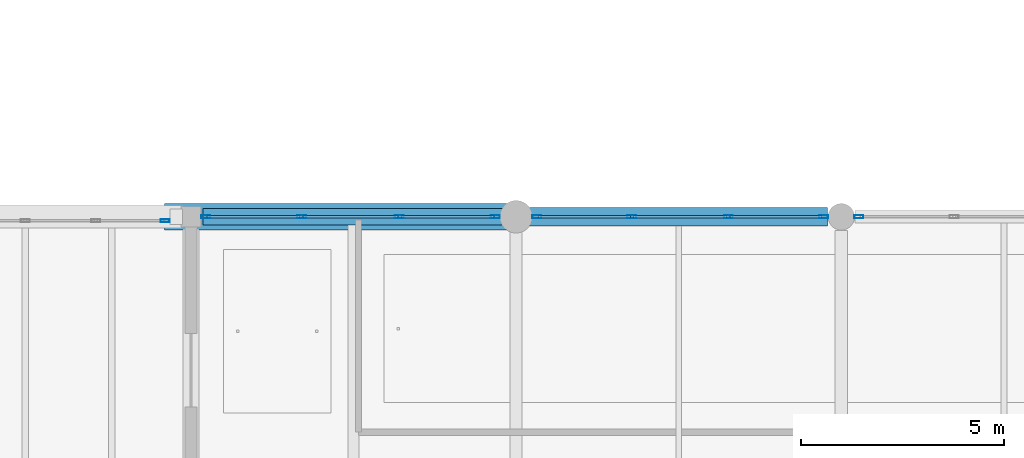
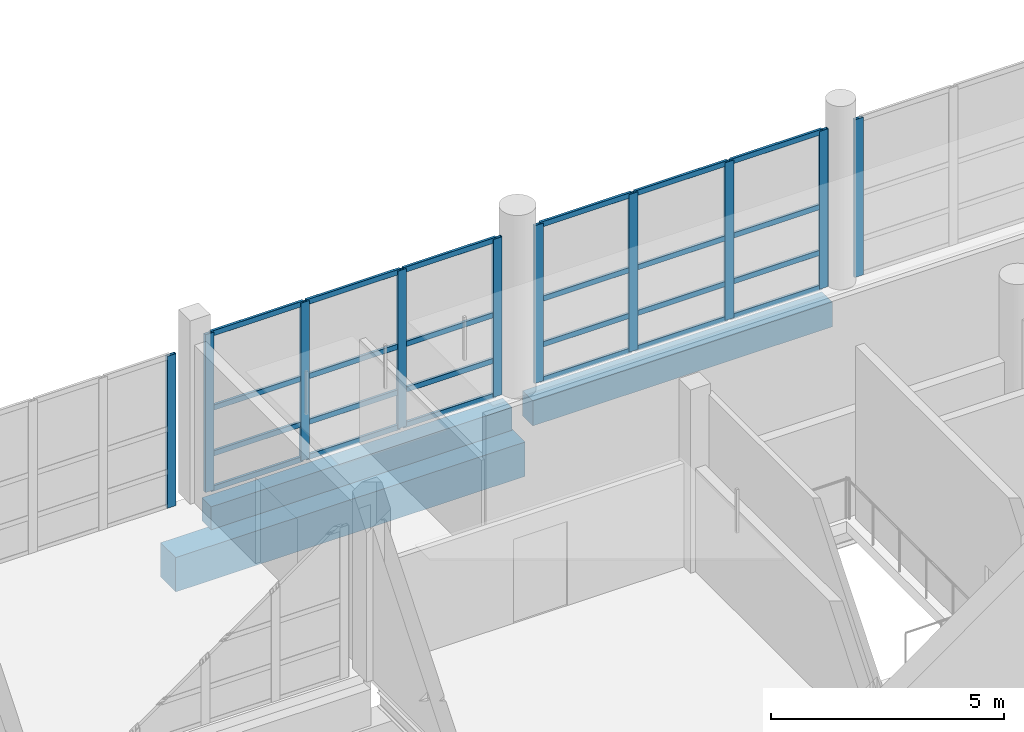
# One storey, part 29 of 141: 34 members, 3 beams, 4 elements without a shape of their own.
"""IFC4 building model written with IfcOpenShell, lengths in metres."""

from ifc_helpers import new_model, si_unit, direction, frame, origin, origin_2d, place, context, subcontext, project, spatial, rectangle, hollow_rectangle, extrude, material, material_profile, profile_set, type_object, element, aggregate, save


model = new_model("IFC4")

# Units and contexts
model_context = context("Model", 3, precision=1e-05, world=origin(), true_north=direction((0.0, 1.0)))
body_context = subcontext(model_context, "Body", "Model", "MODEL_VIEW")
ifc_project = project(units=[si_unit("LENGTHUNIT", "METRE"), si_unit("AREAUNIT", "SQUARE_METRE"), si_unit("VOLUMEUNIT", "CUBIC_METRE"), si_unit("PLANEANGLEUNIT", "RADIAN"), si_unit("MASSUNIT", "GRAM", prefix="KILO")], contexts=[model_context])

# Site, building, storey
site_placement = place(None, origin())
site = spatial("IfcSite", under=ifc_project, at=site_placement, CompositionType="ELEMENT")
building_placement = place(site_placement, origin())
building = spatial("IfcBuilding", under=site, at=building_placement, Name="Khelvaren Railside Concert Hall", CompositionType="ELEMENT")
storey_placement = place(building_placement, frame((0.0, 0.0, 10.199951171875)))
storey = spatial("IfcBuildingStorey", under=building, at=storey_placement, Name="L02", CompositionType="ELEMENT", Elevation=10.199951171875)

# Beam
ifc_material_1 = material(Name="Concrete C40/50", Category="concrete")
ifc_material_profile_1 = material_profile(ifc_material_1, rectangle(XDim=0.64990234375, YDim=0.89990234375, at=origin_2d()), Name="RCB 650x900")
ifc_profile_set_1 = profile_set([ifc_material_profile_1], Name="Concrete C40/50")
beam_type_1 = type_object("IfcBeamType", Name="BM18", PredefinedType="BEAM", material=ifc_profile_set_1)
beam_1_placement = place(storey_placement, frame((63.35009765625, 15.199951171875, -1.659912109375), z_axis=(1.0, 0.0, 0.0), x_axis=(0.0, 1.0, 0.0)))
element("IfcBeam", 1, at=beam_1_placement, inside=storey, type_object=beam_type_1, Name="West Promenade Link Bridge L02 Seismic Corbel Seat 2", PredefinedType="BEAM", context=body_context, shape_type="SweptSolid", body=[
    extrude(rectangle(XDim=0.64990234375, YDim=0.89990234375, at=origin_2d()), origin(), (0.0, 0.0, 1.0), 8.64990234375),
])

# Curtain wall, members
ifc_material_2 = material(Name="Double-glazed clear foyer glass", Category="glass")
curtain_wall_type_1 = type_object("IfcCurtainWallType", Name="CW70", PredefinedType="USERDEFINED", material=ifc_material_2)
curtain_wall_1_placement = place(storey_placement, origin())
curtain_wall_1 = element("IfcCurtainWall", 2, at=curtain_wall_1_placement, inside=storey, type_object=curtain_wall_type_1, Name="Unitised Curtain Wall CW-V3-L02-N-64", ObjectType="UNITISED CURTAIN WALL", PredefinedType="USERDEFINED")
ifc_material_3 = material(Name="Anodised architectural aluminium 6063-T6", Category="aluminium")
ifc_material_profile_2 = material_profile(ifc_material_3, hollow_rectangle(XDim=0.074951171875, YDim=0.219970703125, WallThickness=0.0048828125, InnerFilletRadius=0.0029296875, OuterFilletRadius=0.0048828125, at=origin_2d()), Name="CWM 75x220x5")
ifc_profile_set_2 = profile_set([ifc_material_profile_2], Name="Anodised architectural aluminium 6063-T6")
member_type_1 = type_object("IfcMemberType", Name="CWM13", PredefinedType="MULLION", material=ifc_profile_set_2)
member_1_placement = place(storey_placement, frame((64.360107421875, 15.199951171875, 0.0), z_axis=(0.0, 0.0, 1.0), x_axis=(0.0, 1.0, 0.0)))
member_1 = element("IfcMember", 3, at=member_1_placement, type_object=member_type_1, Name="CW70 mullion 1", PredefinedType="MULLION", context=body_context, shape_type="SweptSolid", body=[
    extrude(hollow_rectangle(XDim=0.074951171875, YDim=0.219970703125, WallThickness=0.0048828125, InnerFilletRadius=0.0029296875, OuterFilletRadius=0.0048828125, at=origin_2d()), origin(), (0.0, 0.0, 1.0), 4.130126953125),
])
member_2_placement = place(storey_placement, frame((66.72412109375, 15.199951171875, 0.0), z_axis=(0.0, 0.0, 1.0), x_axis=(0.0, 1.0, 0.0)))
member_2 = element("IfcMember", 4, at=member_2_placement, type_object=member_type_1, Name="CW70 mullion 2", PredefinedType="MULLION", context=body_context, shape_type="SweptSolid", body=[
    extrude(hollow_rectangle(XDim=0.074951171875, YDim=0.219970703125, WallThickness=0.0048828125, InnerFilletRadius=0.0029296875, OuterFilletRadius=0.0048828125, at=origin_2d()), origin(), (0.0, 0.0, 1.0), 4.130126953125),
])
member_3_placement = place(storey_placement, frame((69.125732421875, 15.199951171875, 0.0), z_axis=(0.0, 0.0, 1.0), x_axis=(0.0, 1.0, 0.0)))
member_3 = element("IfcMember", 5, at=member_3_placement, type_object=member_type_1, Name="CW70 mullion 3", PredefinedType="MULLION", context=body_context, shape_type="SweptSolid", body=[
    extrude(hollow_rectangle(XDim=0.074951171875, YDim=0.219970703125, WallThickness=0.0048828125, InnerFilletRadius=0.0029296875, OuterFilletRadius=0.0048828125, at=origin_2d()), origin(), (0.0, 0.0, 1.0), 4.130126953125),
])
member_4_placement = place(storey_placement, frame((71.489990234375, 15.199951171875, 0.0), z_axis=(0.0, 0.0, 1.0), x_axis=(0.0, 1.0, 0.0)))
member_4 = element("IfcMember", 6, at=member_4_placement, type_object=member_type_1, Name="CW70 mullion 4", PredefinedType="MULLION", context=body_context, shape_type="SweptSolid", body=[
    extrude(hollow_rectangle(XDim=0.074951171875, YDim=0.219970703125, WallThickness=0.0048828125, InnerFilletRadius=0.0029296875, OuterFilletRadius=0.0048828125, at=origin_2d()), origin(), (0.0, 0.0, 1.0), 4.130126953125),
])

curtain_wall_type_2 = type_object("IfcCurtainWallType", Name="CW83", PredefinedType="USERDEFINED", material=ifc_material_2)
curtain_wall_2_placement = place(storey_placement, origin())
curtain_wall_2 = element("IfcCurtainWall", 7, at=curtain_wall_2_placement, inside=storey, type_object=curtain_wall_type_2, Name="Unitised Curtain Wall CW-V3-L02-N-72", ObjectType="UNITISED CURTAIN WALL", PredefinedType="USERDEFINED")
member_5_placement = place(storey_placement, frame((72.510009765625, 15.199951171875, 0.0), z_axis=(0.0, 0.0, 1.0), x_axis=(0.0, 1.0, 0.0)))
member_5 = element("IfcMember", 8, at=member_5_placement, type_object=member_type_1, Name="CW83 mullion 1", PredefinedType="MULLION", context=body_context, shape_type="SweptSolid", body=[
    extrude(hollow_rectangle(XDim=0.074951171875, YDim=0.219970703125, WallThickness=0.0048828125, InnerFilletRadius=0.0029296875, OuterFilletRadius=0.0048828125, at=origin_2d()), origin(), (0.0, 0.0, 1.0), 4.130126953125),
])
member_6_placement = place(storey_placement, frame((74.84912109375, 15.199951171875, 0.0), z_axis=(0.0, 0.0, 1.0), x_axis=(0.0, 1.0, 0.0)))
member_6 = element("IfcMember", 9, at=member_6_placement, type_object=member_type_1, Name="CW83 mullion 2", PredefinedType="MULLION", context=body_context, shape_type="SweptSolid", body=[
    extrude(hollow_rectangle(XDim=0.074951171875, YDim=0.219970703125, WallThickness=0.0048828125, InnerFilletRadius=0.0029296875, OuterFilletRadius=0.0048828125, at=origin_2d()), origin(), (0.0, 0.0, 1.0), 4.130126953125),
])
member_7_placement = place(storey_placement, frame((77.225830078125, 15.199951171875, 0.0), z_axis=(0.0, 0.0, 1.0), x_axis=(0.0, 1.0, 0.0)))
member_7 = element("IfcMember", 10, at=member_7_placement, type_object=member_type_1, Name="CW83 mullion 3", PredefinedType="MULLION", context=body_context, shape_type="SweptSolid", body=[
    extrude(hollow_rectangle(XDim=0.074951171875, YDim=0.219970703125, WallThickness=0.0048828125, InnerFilletRadius=0.0029296875, OuterFilletRadius=0.0048828125, at=origin_2d()), origin(), (0.0, 0.0, 1.0), 4.130126953125),
])
member_8_placement = place(storey_placement, frame((79.56494140625, 15.199951171875, 0.0), z_axis=(0.0, 0.0, 1.0), x_axis=(0.0, 1.0, 0.0)))
member_8 = element("IfcMember", 11, at=member_8_placement, type_object=member_type_1, Name="CW83 mullion 4", PredefinedType="MULLION", context=body_context, shape_type="SweptSolid", body=[
    extrude(hollow_rectangle(XDim=0.074951171875, YDim=0.219970703125, WallThickness=0.0048828125, InnerFilletRadius=0.0029296875, OuterFilletRadius=0.0048828125, at=origin_2d()), origin(), (0.0, 0.0, 1.0), 4.130126953125),
])

# Curtain wall, member
curtain_wall_type_3 = type_object("IfcCurtainWallType", Name="CW64", PredefinedType="USERDEFINED", material=ifc_material_2)
curtain_wall_3_placement = place(storey_placement, origin())
curtain_wall_3 = element("IfcCurtainWall", 12, at=curtain_wall_3_placement, inside=storey, type_object=curtain_wall_type_3, Name="Unitised Curtain Wall CW-V3-L02-N-80", ObjectType="UNITISED CURTAIN WALL", PredefinedType="USERDEFINED")
member_9_placement = place(storey_placement, frame((80.43505859375, 15.199951171875, 0.0), z_axis=(0.0, 0.0, 1.0), x_axis=(0.0, 1.0, 0.0)))
member_9 = element("IfcMember", 13, at=member_9_placement, type_object=member_type_1, Name="CW64 mullion 1", PredefinedType="MULLION", context=body_context, shape_type="SweptSolid", body=[
    extrude(hollow_rectangle(XDim=0.074951171875, YDim=0.219970703125, WallThickness=0.0048828125, InnerFilletRadius=0.0029296875, OuterFilletRadius=0.0048828125, at=origin_2d()), origin(), (0.0, 0.0, 1.0), 4.130126953125),
])
aggregate(curtain_wall_3, [member_9])

curtain_wall_type_4 = type_object("IfcCurtainWallType", Name="CW47", PredefinedType="USERDEFINED", material=ifc_material_2)
curtain_wall_4_placement = place(storey_placement, origin())
curtain_wall_4 = element("IfcCurtainWall", 14, at=curtain_wall_4_placement, inside=storey, type_object=curtain_wall_type_4, Name="Unitised Curtain Wall CW-LB1-L02-N", ObjectType="UNITISED CURTAIN WALL", PredefinedType="USERDEFINED")
member_10_placement = place(storey_placement, frame((63.362548828125, 15.10009765625, 0.0), z_axis=(0.0, 0.0, 1.0), x_axis=(0.0, 1.0, 0.0)))
member_10 = element("IfcMember", 15, at=member_10_placement, type_object=member_type_1, Name="CW47 mullion 5", PredefinedType="MULLION", context=body_context, shape_type="SweptSolid", body=[
    extrude(hollow_rectangle(XDim=0.074951171875, YDim=0.219970703125, WallThickness=0.0048828125, InnerFilletRadius=0.0029296875, OuterFilletRadius=0.0048828125, at=origin_2d()), origin(), (0.0, 0.0, 1.0), 3.97998046875),
])
aggregate(curtain_wall_4, [member_10])

# Member
ifc_material_profile_3 = material_profile(ifc_material_3, hollow_rectangle(XDim=0.06494140625, YDim=0.139892578125, WallThickness=0.00390625, InnerFilletRadius=0.001953125, OuterFilletRadius=0.00390625, at=origin_2d()), Name="CWT 65x140x4")
ifc_profile_set_3 = profile_set([ifc_material_profile_3], Name="Anodised architectural aluminium 6063-T6")
member_type_2 = type_object("IfcMemberType", Name="CWT72", PredefinedType="USERDEFINED", material=ifc_profile_set_3)
member_11_placement = place(storey_placement, frame((64.3974609375, 15.199951171875, 0.032470703125), z_axis=(1.0, 0.0, 0.0), x_axis=(0.0, 1.0, 0.0)))
member_11 = element("IfcMember", 16, at=member_11_placement, type_object=member_type_2, Name="CW70 transom 1.1", ObjectType="TRANSOM", PredefinedType="USERDEFINED", context=body_context, shape_type="SweptSolid", body=[
    extrude(hollow_rectangle(XDim=0.06494140625, YDim=0.139892578125, WallThickness=0.00390625, InnerFilletRadius=0.001953125, OuterFilletRadius=0.00390625, at=origin_2d()), origin(), (0.0, 0.0, 1.0), 2.289306640625),
])

member_12_placement = place(storey_placement, frame((64.3974609375, 15.199951171875, 0.949951171875), z_axis=(1.0, 0.0, 0.0), x_axis=(0.0, 1.0, 0.0)))
member_12 = element("IfcMember", 17, at=member_12_placement, type_object=member_type_2, Name="CW70 transom 1.2", ObjectType="TRANSOM", PredefinedType="USERDEFINED", context=body_context, shape_type="SweptSolid", body=[
    extrude(hollow_rectangle(XDim=0.06494140625, YDim=0.139892578125, WallThickness=0.00390625, InnerFilletRadius=0.001953125, OuterFilletRadius=0.00390625, at=origin_2d()), origin(), (0.0, 0.0, 1.0), 2.289306640625),
])

member_13_placement = place(storey_placement, frame((64.3974609375, 15.199951171875, 2.147705078125), z_axis=(1.0, 0.0, 0.0), x_axis=(0.0, 1.0, 0.0)))
member_13 = element("IfcMember", 18, at=member_13_placement, type_object=member_type_2, Name="CW70 transom 1.3", ObjectType="TRANSOM", PredefinedType="USERDEFINED", context=body_context, shape_type="SweptSolid", body=[
    extrude(hollow_rectangle(XDim=0.06494140625, YDim=0.139892578125, WallThickness=0.00390625, InnerFilletRadius=0.001953125, OuterFilletRadius=0.00390625, at=origin_2d()), origin(), (0.0, 0.0, 1.0), 2.289306640625),
])

member_14_placement = place(storey_placement, frame((64.3974609375, 15.199951171875, 4.09765625), z_axis=(1.0, 0.0, 0.0), x_axis=(0.0, 1.0, 0.0)))
member_14 = element("IfcMember", 19, at=member_14_placement, type_object=member_type_2, Name="CW70 transom 1.4", ObjectType="TRANSOM", PredefinedType="USERDEFINED", context=body_context, shape_type="SweptSolid", body=[
    extrude(hollow_rectangle(XDim=0.06494140625, YDim=0.139892578125, WallThickness=0.00390625, InnerFilletRadius=0.001953125, OuterFilletRadius=0.00390625, at=origin_2d()), origin(), (0.0, 0.0, 1.0), 2.289306640625),
])

member_15_placement = place(storey_placement, frame((66.76171875, 15.199951171875, 0.032470703125), z_axis=(1.0, 0.0, 0.0), x_axis=(0.0, 1.0, 0.0)))
member_15 = element("IfcMember", 20, at=member_15_placement, type_object=member_type_2, Name="CW70 transom 2.1", ObjectType="TRANSOM", PredefinedType="USERDEFINED", context=body_context, shape_type="SweptSolid", body=[
    extrude(hollow_rectangle(XDim=0.06494140625, YDim=0.139892578125, WallThickness=0.00390625, InnerFilletRadius=0.001953125, OuterFilletRadius=0.00390625, at=origin_2d()), origin(), (0.0, 0.0, 1.0), 2.32666015625),
])

member_16_placement = place(storey_placement, frame((66.76171875, 15.199951171875, 0.949951171875), z_axis=(1.0, 0.0, 0.0), x_axis=(0.0, 1.0, 0.0)))
member_16 = element("IfcMember", 21, at=member_16_placement, type_object=member_type_2, Name="CW70 transom 2.2", ObjectType="TRANSOM", PredefinedType="USERDEFINED", context=body_context, shape_type="SweptSolid", body=[
    extrude(hollow_rectangle(XDim=0.06494140625, YDim=0.139892578125, WallThickness=0.00390625, InnerFilletRadius=0.001953125, OuterFilletRadius=0.00390625, at=origin_2d()), origin(), (0.0, 0.0, 1.0), 2.32666015625),
])

member_17_placement = place(storey_placement, frame((66.76171875, 15.199951171875, 2.147705078125), z_axis=(1.0, 0.0, 0.0), x_axis=(0.0, 1.0, 0.0)))
member_17 = element("IfcMember", 22, at=member_17_placement, type_object=member_type_2, Name="CW70 transom 2.3", ObjectType="TRANSOM", PredefinedType="USERDEFINED", context=body_context, shape_type="SweptSolid", body=[
    extrude(hollow_rectangle(XDim=0.06494140625, YDim=0.139892578125, WallThickness=0.00390625, InnerFilletRadius=0.001953125, OuterFilletRadius=0.00390625, at=origin_2d()), origin(), (0.0, 0.0, 1.0), 2.32666015625),
])

member_18_placement = place(storey_placement, frame((66.76171875, 15.199951171875, 4.09765625), z_axis=(1.0, 0.0, 0.0), x_axis=(0.0, 1.0, 0.0)))
member_18 = element("IfcMember", 23, at=member_18_placement, type_object=member_type_2, Name="CW70 transom 2.4", ObjectType="TRANSOM", PredefinedType="USERDEFINED", context=body_context, shape_type="SweptSolid", body=[
    extrude(hollow_rectangle(XDim=0.06494140625, YDim=0.139892578125, WallThickness=0.00390625, InnerFilletRadius=0.001953125, OuterFilletRadius=0.00390625, at=origin_2d()), origin(), (0.0, 0.0, 1.0), 2.32666015625),
])

member_19_placement = place(storey_placement, frame((69.163330078125, 15.199951171875, 0.032470703125), z_axis=(1.0, 0.0, 0.0), x_axis=(0.0, 1.0, 0.0)))
member_19 = element("IfcMember", 24, at=member_19_placement, type_object=member_type_2, Name="CW70 transom 3.1", ObjectType="TRANSOM", PredefinedType="USERDEFINED", context=body_context, shape_type="SweptSolid", body=[
    extrude(hollow_rectangle(XDim=0.06494140625, YDim=0.139892578125, WallThickness=0.00390625, InnerFilletRadius=0.001953125, OuterFilletRadius=0.00390625, at=origin_2d()), origin(), (0.0, 0.0, 1.0), 2.2890625),
])

member_20_placement = place(storey_placement, frame((69.163330078125, 15.199951171875, 0.949951171875), z_axis=(1.0, 0.0, 0.0), x_axis=(0.0, 1.0, 0.0)))
member_20 = element("IfcMember", 25, at=member_20_placement, type_object=member_type_2, Name="CW70 transom 3.2", ObjectType="TRANSOM", PredefinedType="USERDEFINED", context=body_context, shape_type="SweptSolid", body=[
    extrude(hollow_rectangle(XDim=0.06494140625, YDim=0.139892578125, WallThickness=0.00390625, InnerFilletRadius=0.001953125, OuterFilletRadius=0.00390625, at=origin_2d()), origin(), (0.0, 0.0, 1.0), 2.2890625),
])

member_21_placement = place(storey_placement, frame((69.163330078125, 15.199951171875, 2.147705078125), z_axis=(1.0, 0.0, 0.0), x_axis=(0.0, 1.0, 0.0)))
member_21 = element("IfcMember", 26, at=member_21_placement, type_object=member_type_2, Name="CW70 transom 3.3", ObjectType="TRANSOM", PredefinedType="USERDEFINED", context=body_context, shape_type="SweptSolid", body=[
    extrude(hollow_rectangle(XDim=0.06494140625, YDim=0.139892578125, WallThickness=0.00390625, InnerFilletRadius=0.001953125, OuterFilletRadius=0.00390625, at=origin_2d()), origin(), (0.0, 0.0, 1.0), 2.2890625),
])

member_22_placement = place(storey_placement, frame((69.163330078125, 15.199951171875, 4.09765625), z_axis=(1.0, 0.0, 0.0), x_axis=(0.0, 1.0, 0.0)))
member_22 = element("IfcMember", 27, at=member_22_placement, type_object=member_type_2, Name="CW70 transom 3.4", ObjectType="TRANSOM", PredefinedType="USERDEFINED", context=body_context, shape_type="SweptSolid", body=[
    extrude(hollow_rectangle(XDim=0.06494140625, YDim=0.139892578125, WallThickness=0.00390625, InnerFilletRadius=0.001953125, OuterFilletRadius=0.00390625, at=origin_2d()), origin(), (0.0, 0.0, 1.0), 2.2890625),
])

aggregate(curtain_wall_1, [member_1, member_2, member_3, member_4, member_11, member_12, member_13, member_14, member_15, member_16, member_17, member_18, member_19, member_20, member_21, member_22])

member_23_placement = place(storey_placement, frame((72.547607421875, 15.199951171875, 0.032470703125), z_axis=(1.0, 0.0, 0.0), x_axis=(0.0, 1.0, 0.0)))
member_23 = element("IfcMember", 28, at=member_23_placement, type_object=member_type_2, Name="CW83 transom 1.1", ObjectType="TRANSOM", PredefinedType="USERDEFINED", context=body_context, shape_type="SweptSolid", body=[
    extrude(hollow_rectangle(XDim=0.06494140625, YDim=0.139892578125, WallThickness=0.00390625, InnerFilletRadius=0.001953125, OuterFilletRadius=0.00390625, at=origin_2d()), origin(), (0.0, 0.0, 1.0), 2.26416015625),
])

member_24_placement = place(storey_placement, frame((72.547607421875, 15.199951171875, 0.949951171875), z_axis=(1.0, 0.0, 0.0), x_axis=(0.0, 1.0, 0.0)))
member_24 = element("IfcMember", 29, at=member_24_placement, type_object=member_type_2, Name="CW83 transom 1.2", ObjectType="TRANSOM", PredefinedType="USERDEFINED", context=body_context, shape_type="SweptSolid", body=[
    extrude(hollow_rectangle(XDim=0.06494140625, YDim=0.139892578125, WallThickness=0.00390625, InnerFilletRadius=0.001953125, OuterFilletRadius=0.00390625, at=origin_2d()), origin(), (0.0, 0.0, 1.0), 2.26416015625),
])

member_25_placement = place(storey_placement, frame((72.547607421875, 15.199951171875, 2.147705078125), z_axis=(1.0, 0.0, 0.0), x_axis=(0.0, 1.0, 0.0)))
member_25 = element("IfcMember", 30, at=member_25_placement, type_object=member_type_2, Name="CW83 transom 1.3", ObjectType="TRANSOM", PredefinedType="USERDEFINED", context=body_context, shape_type="SweptSolid", body=[
    extrude(hollow_rectangle(XDim=0.06494140625, YDim=0.139892578125, WallThickness=0.00390625, InnerFilletRadius=0.001953125, OuterFilletRadius=0.00390625, at=origin_2d()), origin(), (0.0, 0.0, 1.0), 2.26416015625),
])

member_26_placement = place(storey_placement, frame((72.547607421875, 15.199951171875, 4.09765625), z_axis=(1.0, 0.0, 0.0), x_axis=(0.0, 1.0, 0.0)))
member_26 = element("IfcMember", 31, at=member_26_placement, type_object=member_type_2, Name="CW83 transom 1.4", ObjectType="TRANSOM", PredefinedType="USERDEFINED", context=body_context, shape_type="SweptSolid", body=[
    extrude(hollow_rectangle(XDim=0.06494140625, YDim=0.139892578125, WallThickness=0.00390625, InnerFilletRadius=0.001953125, OuterFilletRadius=0.00390625, at=origin_2d()), origin(), (0.0, 0.0, 1.0), 2.26416015625),
])

member_27_placement = place(storey_placement, frame((74.88671875, 15.199951171875, 0.032470703125), z_axis=(1.0, 0.0, 0.0), x_axis=(0.0, 1.0, 0.0)))
member_27 = element("IfcMember", 32, at=member_27_placement, type_object=member_type_2, Name="CW83 transom 2.1", ObjectType="TRANSOM", PredefinedType="USERDEFINED", context=body_context, shape_type="SweptSolid", body=[
    extrude(hollow_rectangle(XDim=0.06494140625, YDim=0.139892578125, WallThickness=0.00390625, InnerFilletRadius=0.001953125, OuterFilletRadius=0.00390625, at=origin_2d()), origin(), (0.0, 0.0, 1.0), 2.301513671875),
])

member_28_placement = place(storey_placement, frame((74.88671875, 15.199951171875, 0.949951171875), z_axis=(1.0, 0.0, 0.0), x_axis=(0.0, 1.0, 0.0)))
member_28 = element("IfcMember", 33, at=member_28_placement, type_object=member_type_2, Name="CW83 transom 2.2", ObjectType="TRANSOM", PredefinedType="USERDEFINED", context=body_context, shape_type="SweptSolid", body=[
    extrude(hollow_rectangle(XDim=0.06494140625, YDim=0.139892578125, WallThickness=0.00390625, InnerFilletRadius=0.001953125, OuterFilletRadius=0.00390625, at=origin_2d()), origin(), (0.0, 0.0, 1.0), 2.301513671875),
])

member_29_placement = place(storey_placement, frame((74.88671875, 15.199951171875, 2.147705078125), z_axis=(1.0, 0.0, 0.0), x_axis=(0.0, 1.0, 0.0)))
member_29 = element("IfcMember", 34, at=member_29_placement, type_object=member_type_2, Name="CW83 transom 2.3", ObjectType="TRANSOM", PredefinedType="USERDEFINED", context=body_context, shape_type="SweptSolid", body=[
    extrude(hollow_rectangle(XDim=0.06494140625, YDim=0.139892578125, WallThickness=0.00390625, InnerFilletRadius=0.001953125, OuterFilletRadius=0.00390625, at=origin_2d()), origin(), (0.0, 0.0, 1.0), 2.301513671875),
])

member_30_placement = place(storey_placement, frame((74.88671875, 15.199951171875, 4.09765625), z_axis=(1.0, 0.0, 0.0), x_axis=(0.0, 1.0, 0.0)))
member_30 = element("IfcMember", 35, at=member_30_placement, type_object=member_type_2, Name="CW83 transom 2.4", ObjectType="TRANSOM", PredefinedType="USERDEFINED", context=body_context, shape_type="SweptSolid", body=[
    extrude(hollow_rectangle(XDim=0.06494140625, YDim=0.139892578125, WallThickness=0.00390625, InnerFilletRadius=0.001953125, OuterFilletRadius=0.00390625, at=origin_2d()), origin(), (0.0, 0.0, 1.0), 2.301513671875),
])

member_31_placement = place(storey_placement, frame((77.263427734375, 15.199951171875, 0.032470703125), z_axis=(1.0, 0.0, 0.0), x_axis=(0.0, 1.0, 0.0)))
member_31 = element("IfcMember", 36, at=member_31_placement, type_object=member_type_2, Name="CW83 transom 3.1", ObjectType="TRANSOM", PredefinedType="USERDEFINED", context=body_context, shape_type="SweptSolid", body=[
    extrude(hollow_rectangle(XDim=0.06494140625, YDim=0.139892578125, WallThickness=0.00390625, InnerFilletRadius=0.001953125, OuterFilletRadius=0.00390625, at=origin_2d()), origin(), (0.0, 0.0, 1.0), 2.26416015625),
])

member_32_placement = place(storey_placement, frame((77.263427734375, 15.199951171875, 0.949951171875), z_axis=(1.0, 0.0, 0.0), x_axis=(0.0, 1.0, 0.0)))
member_32 = element("IfcMember", 37, at=member_32_placement, type_object=member_type_2, Name="CW83 transom 3.2", ObjectType="TRANSOM", PredefinedType="USERDEFINED", context=body_context, shape_type="SweptSolid", body=[
    extrude(hollow_rectangle(XDim=0.06494140625, YDim=0.139892578125, WallThickness=0.00390625, InnerFilletRadius=0.001953125, OuterFilletRadius=0.00390625, at=origin_2d()), origin(), (0.0, 0.0, 1.0), 2.26416015625),
])

member_33_placement = place(storey_placement, frame((77.263427734375, 15.199951171875, 2.147705078125), z_axis=(1.0, 0.0, 0.0), x_axis=(0.0, 1.0, 0.0)))
member_33 = element("IfcMember", 38, at=member_33_placement, type_object=member_type_2, Name="CW83 transom 3.3", ObjectType="TRANSOM", PredefinedType="USERDEFINED", context=body_context, shape_type="SweptSolid", body=[
    extrude(hollow_rectangle(XDim=0.06494140625, YDim=0.139892578125, WallThickness=0.00390625, InnerFilletRadius=0.001953125, OuterFilletRadius=0.00390625, at=origin_2d()), origin(), (0.0, 0.0, 1.0), 2.26416015625),
])

member_34_placement = place(storey_placement, frame((77.263427734375, 15.199951171875, 4.09765625), z_axis=(1.0, 0.0, 0.0), x_axis=(0.0, 1.0, 0.0)))
member_34 = element("IfcMember", 39, at=member_34_placement, type_object=member_type_2, Name="CW83 transom 3.4", ObjectType="TRANSOM", PredefinedType="USERDEFINED", context=body_context, shape_type="SweptSolid", body=[
    extrude(hollow_rectangle(XDim=0.06494140625, YDim=0.139892578125, WallThickness=0.00390625, InnerFilletRadius=0.001953125, OuterFilletRadius=0.00390625, at=origin_2d()), origin(), (0.0, 0.0, 1.0), 2.26416015625),
])

aggregate(curtain_wall_2, [member_5, member_6, member_7, member_8, member_23, member_24, member_25, member_26, member_27, member_28, member_29, member_30, member_31, member_32, member_33, member_34])

# Beams
ifc_material_profile_4 = material_profile(ifc_material_1, rectangle(XDim=0.449951171875, YDim=0.64990234375, at=origin_2d()), Name="RCB 450x650")
ifc_profile_set_4 = profile_set([ifc_material_profile_4], Name="Concrete C40/50")
beam_type_2 = type_object("IfcBeamType", Name="SP34", PredefinedType="SPANDREL", material=ifc_profile_set_4)
beam_2_placement = place(storey_placement, frame((72.25, 15.199951171875, -0.614990234375), z_axis=(1.0, 0.0, 0.0), x_axis=(0.0, 1.0, 0.0)))
element("IfcBeam", 40, at=beam_2_placement, inside=storey, type_object=beam_type_2, Name="V3 L02 Spandrel X3.2", PredefinedType="SPANDREL", context=body_context, shape_type="SweptSolid", body=[
    extrude(rectangle(XDim=0.449951171875, YDim=0.64990234375, at=origin_2d()), origin(), (0.0, 0.0, 1.0), 7.4140625),
])
ifc_material_profile_5 = material_profile(ifc_material_1, rectangle(XDim=0.39990234375, YDim=0.60009765625, at=origin_2d()), Name="RCB 400x600")
ifc_profile_set_5 = profile_set([ifc_material_profile_5], Name="Concrete C40/50")
beam_type_3 = type_object("IfcBeamType", Name="SP75", PredefinedType="SPANDREL", material=ifc_profile_set_5)
beam_3_placement = place(storey_placement, frame((64.300048828125, 15.199951171875, -0.58984375), z_axis=(1.0, 0.0, 0.0), x_axis=(0.0, 1.0, 0.0)))
element("IfcBeam", 41, at=beam_3_placement, inside=storey, type_object=beam_type_3, Name="V3 L02 Spandrel X3.1", PredefinedType="SPANDREL", context=body_context, shape_type="SweptSolid", body=[
    extrude(rectangle(XDim=0.39990234375, YDim=0.60009765625, at=origin_2d()), origin(), (0.0, 0.0, 1.0), 7.449951171875),
])

save(model, "model.ifc")
